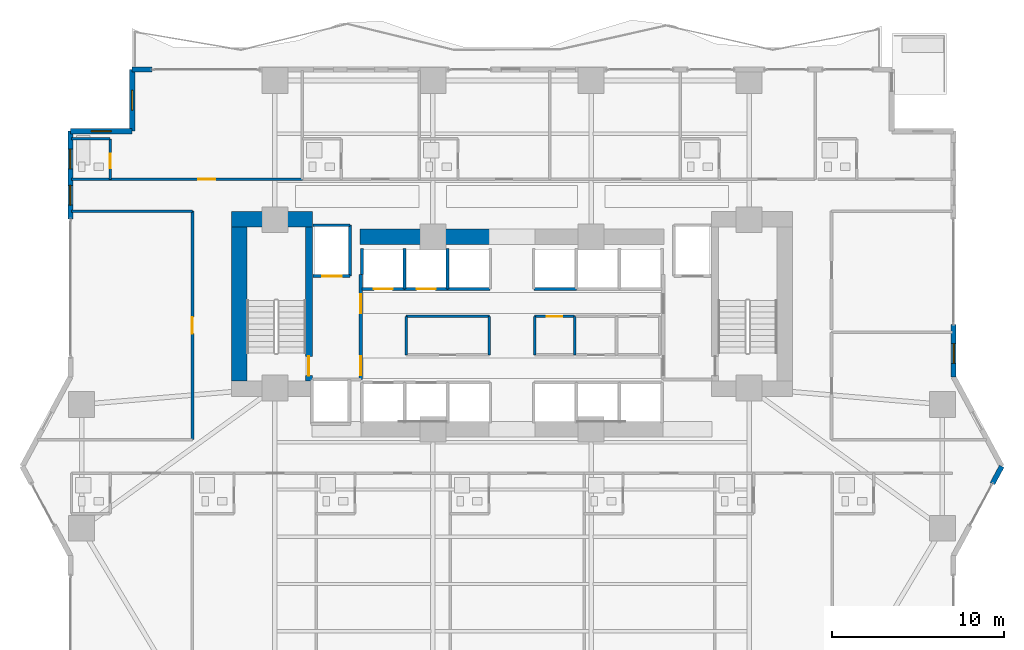
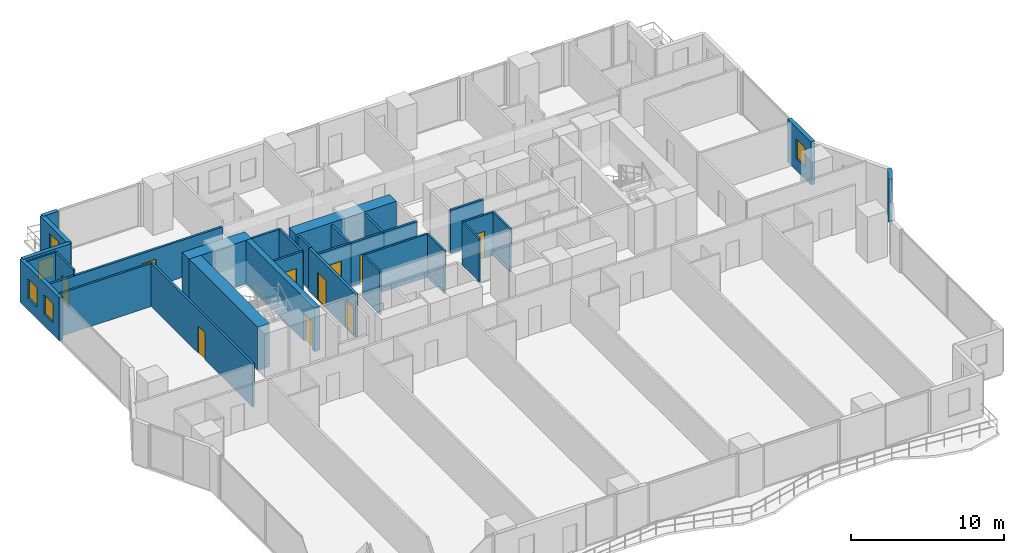
# One storey, part 21 of 28: 32 walls, 10 doors, 5 windows, 15 openings.
"""IFC4 building model written with IfcOpenShell, lengths in metres."""

from ifc_helpers import new_model, si_unit, direction, frame, frame_2d, origin, place, context, subcontext, project, spatial, rectangle, extrude, material, layer, layer_set, type_object, element, fill, save


model = new_model("IFC4")

# Units and contexts
model_context = context("Model", 3, precision=1e-05, world=origin(), true_north=direction((0.0, 1.0)))
body_context = subcontext(model_context, "Body", "Model", "MODEL_VIEW")
ifc_project = project(units=[si_unit("LENGTHUNIT", "METRE"), si_unit("AREAUNIT", "SQUARE_METRE"), si_unit("VOLUMEUNIT", "CUBIC_METRE"), si_unit("PLANEANGLEUNIT", "RADIAN"), si_unit("MASSUNIT", "GRAM", prefix="KILO")], contexts=[model_context])

# Site, building, storey
site_placement = place(None, origin())
site = spatial("IfcSite", under=ifc_project, at=site_placement, CompositionType="ELEMENT")
building_placement = place(site_placement, origin())
building = spatial("IfcBuilding", under=site, at=building_placement, Name="Zuhayl Quay Hotel", CompositionType="ELEMENT")
storey_placement = place(building_placement, frame((0.0, 0.0, 53.14990234375)))
storey = spatial("IfcBuildingStorey", under=building, at=storey_placement, Name="L12", CompositionType="ELEMENT", Elevation=53.14990234375)

# Walls
ifc_material_1 = material(Name="Concrete C70/85", Category="concrete")
ifc_layer_1 = layer(ifc_material_1, 0.89990234375, Name="Concrete C70/85", Category="concrete")
ifc_layer_set_1 = layer_set([ifc_layer_1], Name="Concrete C70/85")
wall_type_1 = type_object("IfcWallType", Name="WL_CORE_900", PredefinedType="SHEAR", material=ifc_layer_set_1)
wall_1_placement = place(storey_placement, frame((-16.31005859375, 14.3798828125, 0.0), z_axis=(0.0, 0.0, 1.0), x_axis=(1.0, 0.0, 0.0)))
element("IfcWall", 1, at=wall_1_placement, inside=storey, type_object=wall_type_1, Name="L12 Core Shear Wall CW_NW", PredefinedType="SHEAR", context=body_context, shape_type="SweptSolid", body=[
    extrude(rectangle(XDim=4.7099609375, YDim=0.89990234375, at=frame_2d((2.35498046875, 0.0))), origin(), (0.0, 0.0, 1.0), 3.460205078125),
])
wall_2_placement = place(storey_placement, frame((-15.860107421875, 4.969970703125, 0.0), z_axis=(0.0, 0.0, 1.0), x_axis=(0.0, 1.0, 0.0)))
element("IfcWall", 2, at=wall_2_placement, inside=storey, type_object=wall_type_1, Name="L12 Core Shear Wall CW_W", PredefinedType="SHEAR", context=body_context, shape_type="SweptSolid", body=[
    extrude(rectangle(XDim=8.9599609375, YDim=0.89990234375, at=frame_2d((4.47998046875, 0.0))), origin(), (0.0, 0.0, 1.0), 3.460205078125),
])
wall_3_placement = place(storey_placement, frame((-8.85009765625, 13.35009765625, 0.0), z_axis=(0.0, 0.0, 1.0), x_axis=(1.0, 0.0, 0.0)))
element("IfcWall", 3, at=wall_3_placement, inside=storey, type_object=wall_type_1, Name="L12 Core Shear Wall CW_NC_W", PredefinedType="SHEAR", context=body_context, shape_type="SweptSolid", body=[
    extrude(rectangle(XDim=7.60009765625, YDim=0.89990234375, at=frame_2d((3.800048828125, 0.0))), origin(), (0.0, 0.0, 1.0), 3.43017578125),
])

# Wall, openings, windows
ifc_material_2 = material(Name="Precast concrete C45/55", Category="concrete")
ifc_layer_2 = layer(ifc_material_2, 0.300048828125, Name="Precast concrete C45/55", Category="concrete")
ifc_layer_set_2 = layer_set([ifc_layer_2], Name="Precast concrete C45/55")
wall_type_2 = type_object("IfcWallType", Name="WL_EXT_300", PredefinedType="STANDARD", material=ifc_layer_set_2)
wall_4_placement = place(storey_placement, frame((-25.699951171875, 14.39990234375, 0.0), z_axis=(0.0, 0.0, 1.0), x_axis=(0.0, 1.0, 0.0)))
wall_4 = element("IfcWall", 4, at=wall_4_placement, inside=storey, type_object=wall_type_2, Name="L12 Exterior Precast Wall ENV_L12_E05_EW2", PredefinedType="STANDARD", context=body_context, shape_type="SweptSolid", body=[
    extrude(rectangle(XDim=5.10009765625, YDim=0.300048828125, at=frame_2d((2.550048828125, 0.0))), origin(), (0.0, 0.0, 1.0), 3.43017578125),
])
opening_1_placement = place(wall_4_placement, frame((0.800048828125, 0.0, 0.949951171875)))
opening_1 = element("IfcOpeningElement", 5, at=opening_1_placement, cuts=wall_4, Name="Opening W01N", PredefinedType="OPENING", context=body_context, shape_type="SweptSolid", body=[
    extrude(rectangle(XDim=1.14990234375, YDim=1.550048828125, at=frame_2d((0.574951171875, 0.77490234375))), frame((0.0, 0.159912109375, 0.0), z_axis=(0.0, -1.0, 0.0), x_axis=(1.0, 0.0, 0.0)), (0.0, 0.0, 1.0), 0.320068359375),
])
opening_2_placement = place(wall_4_placement, frame((2.905029296875, 0.0, 0.949951171875)))
opening_2 = element("IfcOpeningElement", 6, at=opening_2_placement, cuts=wall_4, Name="Opening W01N", PredefinedType="OPENING", context=body_context, shape_type="SweptSolid", body=[
    extrude(rectangle(XDim=1.14990234375, YDim=1.550048828125, at=frame_2d((0.574951171875, 0.77490234375))), frame((0.0, 0.159912109375, 0.0), z_axis=(0.0, -1.0, 0.0), x_axis=(1.0, 0.0, 0.0)), (0.0, 0.0, 1.0), 0.320068359375),
])
ifc_material_3 = material(Name="Dark Ceramic-Fritted Solar Glass", Category="glass")
window_type = type_object("IfcWindowType", Name="WN_NOTCH_1350", PartitioningType="SINGLE_PANEL", PredefinedType="WINDOW", material=ifc_material_3)
window_1_placement = place(opening_1_placement, origin())
window_1 = element("IfcWindow", 7, at=window_1_placement, inside=storey, type_object=window_type, Name="L12 Operable Facade Window 2-1", OverallHeight=1.550048828125, OverallWidth=1.14990234375, PartitioningType="SINGLE_PANEL", PredefinedType="WINDOW", context=body_context, shape_type="SweptSolid", body=[
    extrude(rectangle(XDim=1.14990234375, YDim=1.550048828125, at=frame_2d((0.574951171875, 0.77490234375))), frame((0.0, 0.030029296875, 0.0), z_axis=(0.0, -1.0, 0.0), x_axis=(1.0, 0.0, 0.0)), (0.0, 0.0, 1.0), 0.06005859375),
])
fill(opening_1, window_1)
window_2_placement = place(opening_2_placement, origin())
window_2 = element("IfcWindow", 8, at=window_2_placement, inside=storey, type_object=window_type, Name="L12 Operable Facade Window 2-2", OverallHeight=1.550048828125, OverallWidth=1.14990234375, PartitioningType="SINGLE_PANEL", PredefinedType="WINDOW", context=body_context, shape_type="SweptSolid", body=[
    extrude(rectangle(XDim=1.14990234375, YDim=1.550048828125, at=frame_2d((0.574951171875, 0.77490234375))), frame((0.0, 0.030029296875, 0.0), z_axis=(0.0, -1.0, 0.0), x_axis=(1.0, 0.0, 0.0)), (0.0, 0.0, 1.0), 0.06005859375),
])
fill(opening_2, window_2)

# Wall, opening, window
wall_5_placement = place(storey_placement, frame((-25.699951171875, 19.5, 0.0), z_axis=(0.0, 0.0, 1.0), x_axis=(1.0, 0.0, 0.0)))
wall_5 = element("IfcWall", 9, at=wall_5_placement, inside=storey, type_object=wall_type_2, Name="L12 Exterior Precast Wall ENV_L12_EW06", PredefinedType="STANDARD", context=body_context, shape_type="SweptSolid", body=[
    extrude(rectangle(XDim=3.599853515625, YDim=0.300048828125, at=frame_2d((1.7998046875, 0.0))), origin(), (0.0, 0.0, 1.0), 3.43017578125),
])
opening_3_placement = place(wall_5_placement, frame((1.22509765625, 0.0, 1.25)))
opening_3 = element("IfcOpeningElement", 10, at=opening_3_placement, cuts=wall_5, Name="Opening W01N", PredefinedType="OPENING", context=body_context, shape_type="SweptSolid", body=[
    extrude(rectangle(XDim=1.14990234375, YDim=1.550048828125, at=frame_2d((0.574951171875, 0.77490234375))), frame((0.0, 0.159912109375, 0.0), z_axis=(0.0, -1.0, 0.0), x_axis=(1.0, 0.0, 0.0)), (0.0, 0.0, 1.0), 0.320068359375),
])
window_3_placement = place(opening_3_placement, origin())
window_3 = element("IfcWindow", 11, at=window_3_placement, inside=storey, type_object=window_type, Name="L12 Corner Notch Window 6", OverallHeight=1.550048828125, OverallWidth=1.14990234375, PartitioningType="SINGLE_PANEL", PredefinedType="WINDOW", context=body_context, shape_type="SweptSolid", body=[
    extrude(rectangle(XDim=1.14990234375, YDim=1.550048828125, at=frame_2d((0.574951171875, 0.77490234375))), frame((0.0, 0.030029296875, 0.0), z_axis=(0.0, -1.0, 0.0), x_axis=(1.0, 0.0, 0.0)), (0.0, 0.0, 1.0), 0.06005859375),
])
fill(opening_3, window_3)

wall_6_placement = place(storey_placement, frame((-22.10009765625, 19.5, 0.0), z_axis=(0.0, 0.0, 1.0), x_axis=(0.0, 1.0, 0.0)))
wall_6 = element("IfcWall", 12, at=wall_6_placement, inside=storey, type_object=wall_type_2, Name="L12 Exterior Precast Wall ENV_L12_EW07", PredefinedType="STANDARD", context=body_context, shape_type="SweptSolid", body=[
    extrude(rectangle(XDim=3.60009765625, YDim=0.300048828125, at=frame_2d((1.800048828125, 0.0))), origin(), (0.0, 0.0, 1.0), 3.43017578125),
])
opening_4_placement = place(wall_6_placement, frame((1.22509765625, 0.0, 1.25)))
opening_4 = element("IfcOpeningElement", 13, at=opening_4_placement, cuts=wall_6, Name="Opening W01N", PredefinedType="OPENING", context=body_context, shape_type="SweptSolid", body=[
    extrude(rectangle(XDim=1.14990234375, YDim=1.550048828125, at=frame_2d((0.574951171875, 0.77490234375))), frame((0.0, 0.159912109375, 0.0), z_axis=(0.0, -1.0, 0.0), x_axis=(1.0, 0.0, 0.0)), (0.0, 0.0, 1.0), 0.320068359375),
])
window_4_placement = place(opening_4_placement, origin())
window_4 = element("IfcWindow", 14, at=window_4_placement, inside=storey, type_object=window_type, Name="L12 Corner Notch Window 7", OverallHeight=1.550048828125, OverallWidth=1.14990234375, PartitioningType="SINGLE_PANEL", PredefinedType="WINDOW", context=body_context, shape_type="SweptSolid", body=[
    extrude(rectangle(XDim=1.14990234375, YDim=1.550048828125, at=frame_2d((0.574951171875, 0.77490234375))), frame((0.0, 0.030029296875, 0.0), z_axis=(0.0, -1.0, 0.0), x_axis=(1.0, 0.0, 0.0)), (0.0, 0.0, 1.0), 0.06005859375),
])
fill(opening_4, window_4)

# Wall
wall_7_placement = place(storey_placement, frame((-22.10009765625, 23.10009765625, 0.0), z_axis=(0.0, 0.0, 1.0), x_axis=(1.0, 0.0, 0.0)))
element("IfcWall", 15, at=wall_7_placement, inside=storey, type_object=wall_type_2, Name="L12 Exterior Precast Wall ENV_L12_N_EW1", PredefinedType="STANDARD", context=body_context, shape_type="SweptSolid", body=[
    extrude(rectangle(XDim=1.150146484375, YDim=0.300048828125, at=frame_2d((0.5751953125, 0.0))), origin(), (0.0, 0.0, 1.0), 3.43017578125),
])

# Wall, opening, window
wall_8_placement = place(storey_placement, frame((25.699951171875, 8.25, 0.0), z_axis=(0.0, 0.0, 1.0), x_axis=(0.0, -1.0, 0.0)))
wall_8 = element("IfcWall", 16, at=wall_8_placement, inside=storey, type_object=wall_type_2, Name="L12 Exterior Precast Wall ENV_L12_E11_EW2", PredefinedType="STANDARD", context=body_context, shape_type="SweptSolid", body=[
    extrude(rectangle(XDim=3.050048828125, YDim=0.300048828125, at=frame_2d((1.52490234375, 0.0))), origin(), (0.0, 0.0, 1.0), 3.43017578125),
])
opening_5_placement = place(wall_8_placement, frame((1.114990234375, 0.0, 0.949951171875)))
opening_5 = element("IfcOpeningElement", 17, at=opening_5_placement, cuts=wall_8, Name="Opening W01N", PredefinedType="OPENING", context=body_context, shape_type="SweptSolid", body=[
    extrude(rectangle(XDim=1.14990234375, YDim=1.550048828125, at=frame_2d((0.574951171875, 0.77490234375))), frame((0.0, 0.159912109375, 0.0), z_axis=(0.0, -1.0, 0.0), x_axis=(1.0, 0.0, 0.0)), (0.0, 0.0, 1.0), 0.320068359375),
])
window_5_placement = place(opening_5_placement, origin())
window_5 = element("IfcWindow", 18, at=window_5_placement, inside=storey, type_object=window_type, Name="L12 Operable Facade Window 2-1", OverallHeight=1.550048828125, OverallWidth=1.14990234375, PartitioningType="SINGLE_PANEL", PredefinedType="WINDOW", context=body_context, shape_type="SweptSolid", body=[
    extrude(rectangle(XDim=1.14990234375, YDim=1.550048828125, at=frame_2d((0.574951171875, 0.77490234375))), frame((0.0, 0.030029296875, 0.0), z_axis=(0.0, -1.0, 0.0), x_axis=(1.0, 0.0, 0.0)), (0.0, 0.0, 1.0), 0.06005859375),
])
fill(opening_5, window_5)

# Wall
wall_9_placement = place(storey_placement, frame((28.5, 0.0, 0.0), z_axis=(0.0, 0.0, 1.0), x_axis=(-0.474099823035, -0.880471099922, 0.0)))
element("IfcWall", 19, at=wall_9_placement, inside=storey, type_object=wall_type_2, Name="L12 Exterior Precast Wall ENV_L12_E13_EW1", PredefinedType="STANDARD", context=body_context, shape_type="SweptSolid", body=[
    extrude(rectangle(XDim=1.14990234375, YDim=0.300048828125, at=frame_2d((0.574951171875, 0.0))), origin(), (0.0, 0.0, 1.0), 3.43017578125),
])

# Wall, opening, door
ifc_material_4 = material(Name="Acoustic Gypsum Partition STC-58")
ifc_layer_3 = layer(ifc_material_4, 0.14990234375, Name="Acoustic Gypsum Partition STC-58")
ifc_layer_set_3 = layer_set([ifc_layer_3], Name="Acoustic Gypsum Partition STC-58")
wall_type_3 = type_object("IfcWallType", Name="WL_PART_150", PredefinedType="PARTITIONING", material=ifc_layer_set_3)
wall_10_placement = place(storey_placement, frame((1.320068359375, 8.719970703125, 0.0), z_axis=(0.0, 0.0, 1.0), x_axis=(1.0, 0.0, 0.0)))
wall_10 = element("IfcWall", 20, at=wall_10_placement, inside=storey, type_object=wall_type_3, Name="L12 Partition IW_L12_CORE_E1_N", PredefinedType="PARTITIONING", context=body_context, shape_type="SweptSolid", body=[
    extrude(rectangle(XDim=2.31982421875, YDim=0.14990234375, at=frame_2d((1.159912109375, 0.0))), origin(), (0.0, 0.0, 1.0), 3.43017578125),
])
opening_6_placement = place(wall_10_placement, frame((0.7099609375, 0.0, 0.0)))
opening_6 = element("IfcOpeningElement", 21, at=opening_6_placement, cuts=wall_10, Name="Opening D06", PredefinedType="OPENING", context=body_context, shape_type="SweptSolid", body=[
    extrude(rectangle(XDim=0.89990234375, YDim=2.14990234375, at=frame_2d((0.449951171875, 1.074951171875))), frame((0.0, 0.0849609375, 0.0), z_axis=(0.0, -1.0, 0.0), x_axis=(1.0, 0.0, 0.0)), (0.0, 0.0, 1.0), 0.169921875),
])
ifc_material_5 = material(Name="Steel ASTM A992 Grade 50", Category="steel")
door_type_1 = type_object("IfcDoorType", Name="DR_INT_900", OperationType="NOTDEFINED", PredefinedType="DOOR", material=ifc_material_5)
door_1_placement = place(opening_6_placement, origin())
door_1 = element("IfcDoor", 22, at=door_1_placement, inside=storey, type_object=door_type_1, Name="L12 Floor Electrical Closet Door", OperationType="SINGLE_SWING_RIGHT", OverallHeight=2.14990234375, OverallWidth=0.89990234375, PredefinedType="DOOR", context=body_context, shape_type="SweptSolid", body=[
    extrude(rectangle(XDim=0.89990234375, YDim=2.14990234375, at=frame_2d((0.449951171875, 1.074951171875))), frame((0.0, 0.02490234375, 0.0), z_axis=(0.0, -1.0, 0.0), x_axis=(1.0, 0.0, 0.0)), (0.0, 0.0, 1.0), 0.050048828125),
])
fill(opening_6, door_1)

# Walls
wall_11_placement = place(storey_placement, frame((-6.159912109375, 8.719970703125, 0.0), z_axis=(0.0, 0.0, 1.0), x_axis=(1.0, 0.0, 0.0)))
element("IfcWall", 23, at=wall_11_placement, inside=storey, type_object=wall_type_3, Name="L12 Partition IW_L12_CORE_SV_N", PredefinedType="PARTITIONING", context=body_context, shape_type="SweptSolid", body=[
    extrude(rectangle(XDim=4.83984375, YDim=0.14990234375, at=frame_2d((2.419921875, 0.0))), origin(), (0.0, 0.0, 1.0), 3.43017578125),
])
for number, where, z_axis, x_axis, name in (
    (24, (-6.159912109375, 6.47998046875, 0.0), (0.0, 0.0, 1.0), (0.0, 1.0, 0.0), "L12 Partition IW_L12_CORE_SV_W"),
    (25, (-1.320068359375, 6.47998046875, 0.0), (0.0, 0.0, 1.0), (0.0, 1.0, 0.0), "L12 Partition IW_L12_CORE_SV_E"),
    (26, (1.320068359375, 6.47998046875, 0.0), (0.0, 0.0, 1.0), (0.0, 1.0, 0.0), "L12 Partition IW_L12_CORE_E1_W"),
    (27, (3.639892578125, 6.47998046875, 0.0), (0.0, 0.0, 1.0), (0.0, 1.0, 0.0), "L12 Partition IW_L12_CORE_E1_E"),
):
    element("IfcWall", number, at=place(storey_placement, frame(where, z_axis=z_axis, x_axis=x_axis)), inside=storey, type_object=wall_type_3, Name=name, PredefinedType="PARTITIONING", context=body_context, shape_type="SweptSolid", body=[
        extrude(rectangle(XDim=2.239990234375, YDim=0.14990234375, at=frame_2d((1.1201171875, 0.0))), origin(), (0.0, 0.0, 1.0), 3.43017578125),
    ])
wall_12_placement = place(storey_placement, frame((-25.639892578125, 14.85009765625, 0.0), z_axis=(0.0, 0.0, 1.0), x_axis=(1.0, 0.0, 0.0)))
element("IfcWall", 28, at=wall_12_placement, inside=storey, type_object=wall_type_3, Name="L12 Partition IW_L12_WPROW_1_N", PredefinedType="PARTITIONING", context=body_context, shape_type="SweptSolid", body=[
    extrude(rectangle(XDim=7.039794921875, YDim=0.14990234375, at=frame_2d((3.52001953125, 0.0))), origin(), (0.0, 0.0, 1.0), 3.43017578125),
])

# Wall, opening, door
ifc_layer_4 = layer(ifc_material_4, 0.159912109375, Name="Acoustic Gypsum Partition STC-58")
ifc_layer_set_4 = layer_set([ifc_layer_4], Name="Acoustic Gypsum Partition STC-58")
wall_type_4 = type_object("IfcWallType", Name="WL_PART_CORR_160", PredefinedType="PARTITIONING", material=ifc_layer_set_4)
wall_13_placement = place(storey_placement, frame((-25.639892578125, 16.699951171875, 0.0), z_axis=(0.0, 0.0, 1.0), x_axis=(1.0, 0.0, 0.0)))
wall_13 = element("IfcWall", 29, at=wall_13_placement, inside=storey, type_object=wall_type_4, Name="L12 Partition IW_L12_NU01_COR", PredefinedType="PARTITIONING", context=body_context, shape_type="SweptSolid", body=[
    extrude(rectangle(XDim=13.43994140625, YDim=0.159912109375, at=frame_2d((6.719970703125, 0.0))), origin(), (0.0, 0.0, 1.0), 2.97314453125),
])
opening_7_placement = place(wall_13_placement, frame((7.3701171875, 0.0, 0.0)))
opening_7 = element("IfcOpeningElement", 30, at=opening_7_placement, cuts=wall_13, Name="Opening D03L", PredefinedType="OPENING", context=body_context, shape_type="SweptSolid", body=[
    extrude(rectangle(XDim=1.0, YDim=2.14990234375, at=frame_2d((0.5, 1.074951171875))), frame((0.0, 0.08984375, 0.0), z_axis=(0.0, -1.0, 0.0), x_axis=(1.0, 0.0, 0.0)), (0.0, 0.0, 1.0), 0.179931640625),
])
ifc_material_6 = material(Name="Solid Walnut Acoustic Fire Door")
door_type_2 = type_object("IfcDoorType", Name="DR_SUITE_1000", OperationType="NOTDEFINED", PredefinedType="DOOR", material=ifc_material_6)
door_2_placement = place(opening_7_placement, origin())
door_2 = element("IfcDoor", 31, at=door_2_placement, inside=storey, type_object=door_type_2, Name="L12 Deluxe Gulf Guest Room L12-01 Entrance Door", OperationType="SINGLE_SWING_RIGHT", OverallHeight=2.14990234375, OverallWidth=1.0, PredefinedType="DOOR", context=body_context, shape_type="SweptSolid", body=[
    extrude(rectangle(XDim=1.0, YDim=2.14990234375, at=frame_2d((0.5, 1.074951171875))), frame((0.0, 0.02490234375, 0.0), z_axis=(0.0, -1.0, 0.0), x_axis=(1.0, 0.0, 0.0)), (0.0, 0.0, 1.0), 0.050048828125),
])
fill(opening_7, door_2)

wall_14_placement = place(storey_placement, frame((-18.60009765625, 1.550048828125, 0.0), z_axis=(0.0, 0.0, 1.0), x_axis=(0.0, 1.0, 0.0)))
wall_14 = element("IfcWall", 32, at=wall_14_placement, inside=storey, type_object=wall_type_4, Name="L12 Partition IW_L12_WPROW_1_E", PredefinedType="PARTITIONING", context=body_context, shape_type="SweptSolid", body=[
    extrude(rectangle(XDim=13.300048828125, YDim=0.159912109375, at=frame_2d((6.64990234375, 0.0))), origin(), (0.0, 0.0, 1.0), 3.43017578125),
])
opening_8_placement = place(wall_14_placement, frame((6.175048828125, 0.0, 0.0)))
opening_8 = element("IfcOpeningElement", 33, at=opening_8_placement, cuts=wall_14, Name="Opening D03", PredefinedType="OPENING", context=body_context, shape_type="SweptSolid", body=[
    extrude(rectangle(XDim=0.949951171875, YDim=2.14990234375, at=frame_2d((0.47509765625, 1.074951171875))), frame((0.0, 0.08984375, 0.0), z_axis=(0.0, -1.0, 0.0), x_axis=(1.0, 0.0, 0.0)), (0.0, 0.0, 1.0), 0.179931640625),
])
door_type_3 = type_object("IfcDoorType", Name="DR_SUITE_950", OperationType="NOTDEFINED", PredefinedType="DOOR", material=ifc_material_6)
door_3_placement = place(opening_8_placement, origin())
door_3 = element("IfcDoor", 34, at=door_3_placement, inside=storey, type_object=door_type_3, Name="L12 West Prow Panoramic Salon L12 Door", OperationType="SINGLE_SWING_RIGHT", OverallHeight=2.14990234375, OverallWidth=0.949951171875, PredefinedType="DOOR", context=body_context, shape_type="SweptSolid", body=[
    extrude(rectangle(XDim=0.949951171875, YDim=2.14990234375, at=frame_2d((0.47509765625, 1.074951171875))), frame((0.0, 0.02490234375, 0.0), z_axis=(0.0, -1.0, 0.0), x_axis=(1.0, 0.0, 0.0)), (0.0, 0.0, 1.0), 0.050048828125),
])
fill(opening_8, door_3)

ifc_material_7 = material(Name="Moisture-Resistant Sanitarychase Gypsum")
ifc_layer_5 = layer(ifc_material_7, 0.135009765625, Name="Moisture-Resistant Sanitarychase Gypsum")
ifc_layer_set_5 = layer_set([ifc_layer_5], Name="Moisture-Resistant Sanitarychase Gypsum")
wall_type_5 = type_object("IfcWallType", Name="WL_PART_PLUMB_150", PredefinedType="PLUMBINGWALL", material=ifc_layer_set_5)
wall_15_placement = place(storey_placement, frame((-23.3798828125, 16.699951171875, 0.0), z_axis=(0.0, 0.0, 1.0), x_axis=(0.0, 1.0, 0.0)))
wall_15 = element("IfcWall", 35, at=wall_15_placement, inside=storey, type_object=wall_type_5, Name="L12 Partition IW_L12_NU01_BE", PredefinedType="PLUMBINGWALL", context=body_context, shape_type="SweptSolid", body=[
    extrude(rectangle(XDim=2.360107421875, YDim=0.135009765625, at=frame_2d((1.18017578125, 0.0))), origin(), (0.0, 0.0, 1.0), 3.43017578125),
])
opening_9_placement = place(wall_15_placement, frame((0.64990234375, 0.0, 0.0)))
opening_9 = element("IfcOpeningElement", 36, at=opening_9_placement, cuts=wall_15, Name="Opening D04", PredefinedType="OPENING", context=body_context, shape_type="SweptSolid", body=[
    extrude(rectangle(XDim=0.85009765625, YDim=2.10009765625, at=frame_2d((0.425048828125, 1.050048828125))), frame((0.0, 0.077392578125, 0.0), z_axis=(0.0, -1.0, 0.0), x_axis=(1.0, 0.0, 0.0)), (0.0, 0.0, 1.0), 0.155029296875),
])
ifc_material_8 = material(Name="Moisture-Resistant Walnut Veneer")
door_type_4 = type_object("IfcDoorType", Name="DR_BATH_850", OperationType="NOTDEFINED", PredefinedType="DOOR", material=ifc_material_8)
door_4_placement = place(opening_9_placement, origin())
door_4 = element("IfcDoor", 37, at=door_4_placement, inside=storey, type_object=door_type_4, Name="L12 Deluxe Gulf Guest Room L12-01 En-Suite Door", OperationType="SINGLE_SWING_LEFT", OverallHeight=2.10009765625, OverallWidth=0.85009765625, PredefinedType="DOOR", context=body_context, shape_type="SweptSolid", body=[
    extrude(rectangle(XDim=0.85009765625, YDim=2.10009765625, at=frame_2d((0.425048828125, 1.050048828125))), frame((0.0, 0.02490234375, 0.0), z_axis=(0.0, -1.0, 0.0), x_axis=(1.0, 0.0, 0.0)), (0.0, 0.0, 1.0), 0.050048828125),
])
fill(opening_9, door_4)

# Wall
wall_16_placement = place(storey_placement, frame((-25.639892578125, 19.06005859375, 0.0), z_axis=(0.0, 0.0, 1.0), x_axis=(1.0, 0.0, 0.0)))
element("IfcWall", 38, at=wall_16_placement, inside=storey, type_object=wall_type_5, Name="L12 Partition IW_L12_NU01_BN", PredefinedType="PLUMBINGWALL", context=body_context, shape_type="SweptSolid", body=[
    extrude(rectangle(XDim=2.260009765625, YDim=0.135009765625, at=frame_2d((1.1298828125, 0.0))), origin(), (0.0, 0.0, 1.0), 3.43017578125),
])

# Wall, opening, door
ifc_material_9 = material(Name="Gypsum Fireboard Assembly EI-90")
ifc_layer_6 = layer(ifc_material_9, 0.1650390625, Name="Gypsum Fireboard Assembly EI-90")
ifc_layer_set_6 = layer_set([ifc_layer_6], Name="Gypsum Fireboard Assembly EI-90")
wall_type_6 = type_object("IfcWallType", Name="WL_PART_SHAFT_160", PredefinedType="PARTITIONING", material=ifc_layer_set_6)
wall_17_placement = place(storey_placement, frame((-11.580078125, 11.070068359375, 0.0), z_axis=(0.0, 0.0, 1.0), x_axis=(1.0, 0.0, 0.0)))
wall_17 = element("IfcWall", 39, at=wall_17_placement, inside=storey, type_object=wall_type_6, Name="L12 Partition IW_L12_SH_FL1_F", PredefinedType="PARTITIONING", context=body_context, shape_type="SweptSolid", body=[
    extrude(rectangle(XDim=2.16015625, YDim=0.1650390625, at=frame_2d((1.080078125, 0.0))), origin(), (0.0, 0.0, 1.0), 3.43017578125),
])
opening_10_placement = place(wall_17_placement, frame((0.530029296875, 0.0, 0.0)))
opening_10 = element("IfcOpeningElement", 40, at=opening_10_placement, cuts=wall_17, Name="Opening LD2", PredefinedType="OPENING", context=body_context, shape_type="SweptSolid", body=[
    extrude(rectangle(XDim=1.14990234375, YDim=2.25, at=frame_2d((0.574951171875, 1.125))), frame((0.0, 0.092529296875, 0.0), z_axis=(0.0, -1.0, 0.0), x_axis=(1.0, 0.0, 0.0)), (0.0, 0.0, 1.0), 0.18505859375),
])
ifc_material_10 = material(Name="Brushed Stainless Steel", Category="steel")
door_type_5 = type_object("IfcDoorType", Name="DR_LIFT_FF_1100", OperationType="SLIDING_TO_LEFT", PredefinedType="DOOR", material=ifc_material_10)
door_5_placement = place(opening_10_placement, origin())
door_5 = element("IfcDoor", 41, at=door_5_placement, inside=storey, type_object=door_type_5, Name="L12 Lift FL1 Sliding Landing Door", OperationType="SLIDING_TO_LEFT", OverallHeight=2.25, OverallWidth=1.14990234375, PredefinedType="DOOR", context=body_context, shape_type="SweptSolid", body=[
    extrude(rectangle(XDim=1.14990234375, YDim=2.25, at=frame_2d((0.574951171875, 1.125))), frame((0.0, 0.02490234375, 0.0), z_axis=(0.0, -1.0, 0.0), x_axis=(1.0, 0.0, 0.0)), (0.0, 0.0, 1.0), 0.050048828125),
])
fill(opening_10, door_5)

wall_18_placement = place(storey_placement, frame((-8.72998046875, 10.320068359375, 0.0), z_axis=(0.0, 0.0, 1.0), x_axis=(1.0, 0.0, 0.0)))
wall_18 = element("IfcWall", 42, at=wall_18_placement, inside=storey, type_object=wall_type_6, Name="L12 Partition IW_L12_SH_LP3_F", PredefinedType="PARTITIONING", context=body_context, shape_type="SweptSolid", body=[
    extrude(rectangle(XDim=2.47998046875, YDim=0.1650390625, at=frame_2d((1.239990234375, 0.0))), origin(), (0.0, 0.0, 1.0), 3.43017578125),
])
opening_11_placement = place(wall_18_placement, frame((0.68994140625, 0.0, 0.0)))
opening_11 = element("IfcOpeningElement", 43, at=opening_11_placement, cuts=wall_18, Name="Opening LD1", PredefinedType="OPENING", context=body_context, shape_type="SweptSolid", body=[
    extrude(rectangle(XDim=1.10009765625, YDim=2.25, at=frame_2d((0.550048828125, 1.125))), frame((0.0, 0.092529296875, 0.0), z_axis=(0.0, -1.0, 0.0), x_axis=(1.0, 0.0, 0.0)), (0.0, 0.0, 1.0), 0.18505859375),
])
door_type_6 = type_object("IfcDoorType", Name="DR_LIFT_PASS_1100", OperationType="SLIDING_TO_LEFT", PredefinedType="DOOR", material=ifc_material_10)
door_6_placement = place(opening_11_placement, origin())
door_6 = element("IfcDoor", 44, at=door_6_placement, inside=storey, type_object=door_type_6, Name="L12 Lift LP3 Sliding Landing Door", OperationType="SLIDING_TO_LEFT", OverallHeight=2.25, OverallWidth=1.10009765625, PredefinedType="DOOR", context=body_context, shape_type="SweptSolid", body=[
    extrude(rectangle(XDim=1.10009765625, YDim=2.25, at=frame_2d((0.550048828125, 1.125))), frame((0.0, 0.02490234375, 0.0), z_axis=(0.0, -1.0, 0.0), x_axis=(1.0, 0.0, 0.0)), (0.0, 0.0, 1.0), 0.050048828125),
])
fill(opening_11, door_6)

wall_19_placement = place(storey_placement, frame((-6.25, 10.320068359375, 0.0), z_axis=(0.0, 0.0, 1.0), x_axis=(1.0, 0.0, 0.0)))
wall_19 = element("IfcWall", 45, at=wall_19_placement, inside=storey, type_object=wall_type_6, Name="L12 Partition IW_L12_SH_LP4_F", PredefinedType="PARTITIONING", context=body_context, shape_type="SweptSolid", body=[
    extrude(rectangle(XDim=2.5, YDim=0.1650390625, at=frame_2d((1.25, 0.0))), origin(), (0.0, 0.0, 1.0), 3.43017578125),
])
opening_12_placement = place(wall_19_placement, frame((0.699951171875, 0.0, 0.0)))
opening_12 = element("IfcOpeningElement", 46, at=opening_12_placement, cuts=wall_19, Name="Opening LD1", PredefinedType="OPENING", context=body_context, shape_type="SweptSolid", body=[
    extrude(rectangle(XDim=1.10009765625, YDim=2.25, at=frame_2d((0.550048828125, 1.125))), frame((0.0, 0.092529296875, 0.0), z_axis=(0.0, -1.0, 0.0), x_axis=(1.0, 0.0, 0.0)), (0.0, 0.0, 1.0), 0.18505859375),
])
door_7_placement = place(opening_12_placement, origin())
door_7 = element("IfcDoor", 47, at=door_7_placement, inside=storey, type_object=door_type_6, Name="L12 Lift LP4 Sliding Landing Door", OperationType="SLIDING_TO_LEFT", OverallHeight=2.25, OverallWidth=1.10009765625, PredefinedType="DOOR", context=body_context, shape_type="SweptSolid", body=[
    extrude(rectangle(XDim=1.10009765625, YDim=2.25, at=frame_2d((0.550048828125, 1.125))), frame((0.0, 0.02490234375, 0.0), z_axis=(0.0, -1.0, 0.0), x_axis=(1.0, 0.0, 0.0)), (0.0, 0.0, 1.0), 0.050048828125),
])
fill(opening_12, door_7)

# Walls
wall_20_placement = place(storey_placement, frame((-9.419921875, 11.070068359375, 0.0), z_axis=(0.0, 0.0, 1.0), x_axis=(0.0, 1.0, 0.0)))
element("IfcWall", 48, at=wall_20_placement, inside=storey, type_object=wall_type_6, Name="L12 Partition IW_L12_SH_FL1_E", PredefinedType="PARTITIONING", context=body_context, shape_type="SweptSolid", body=[
    extrude(rectangle(XDim=2.9599609375, YDim=0.1650390625, at=frame_2d((1.47998046875, 0.0))), origin(), (0.0, 0.0, 1.0), 3.43017578125),
])
wall_21_placement = place(storey_placement, frame((-11.580078125, 14.030029296875, 0.0), z_axis=(0.0, 0.0, 1.0), x_axis=(1.0, 0.0, 0.0)))
element("IfcWall", 49, at=wall_21_placement, inside=storey, type_object=wall_type_6, Name="L12 Partition IW_L12_SH_FL1_B", PredefinedType="PARTITIONING", context=body_context, shape_type="SweptSolid", body=[
    extrude(rectangle(XDim=2.16015625, YDim=0.1650390625, at=frame_2d((1.080078125, 0.0))), origin(), (0.0, 0.0, 1.0), 3.43017578125),
])
wall_22_placement = place(storey_placement, frame((-8.72998046875, 11.14990234375, 0.0), z_axis=(0.0, 0.0, 1.0), x_axis=(0.0, 1.0, 0.0)))
element("IfcWall", 50, at=wall_22_placement, inside=storey, type_object=wall_type_6, Name="L12 Partition IW_L12_SH_LP3_W", PredefinedType="PARTITIONING", context=body_context, shape_type="SweptSolid", body=[
    extrude(rectangle(XDim=1.530029296875, YDim=0.1650390625, at=frame_2d((0.76513671875, 0.0))), origin(), (0.0, 0.0, 1.0), 3.43017578125),
])
for number, where, z_axis, x_axis, name in (
    (51, (-6.25, 10.320068359375, 0.0), (0.0, 0.0, 1.0), (0.0, 1.0, 0.0), "L12 Partition IW_L12_SH_LP3_E"),
    (52, (-3.75, 10.320068359375, 0.0), (0.0, 0.0, 1.0), (0.0, 1.0, 0.0), "L12 Partition IW_L12_SH_LP4_E"),
):
    element("IfcWall", number, at=place(storey_placement, frame(where, z_axis=z_axis, x_axis=x_axis)), inside=storey, type_object=wall_type_6, Name=name, PredefinedType="PARTITIONING", context=body_context, shape_type="SweptSolid", body=[
        extrude(rectangle(XDim=2.35986328125, YDim=0.1650390625, at=frame_2d((1.179931640625, 0.0))), origin(), (0.0, 0.0, 1.0), 3.43017578125),
    ])
for number, where, z_axis, x_axis, name in (
    (53, (-3.75, 10.320068359375, 0.0), (0.0, 0.0, 1.0), (1.0, 0.0, 0.0), "L12 Partition IW_L12_SH_MP3_F"),
    (54, (1.27001953125, 10.320068359375, 0.0), (0.0, 0.0, 1.0), (1.0, 0.0, 0.0), "L12 Partition IW_L12_SH_MP4_F"),
):
    element("IfcWall", number, at=place(storey_placement, frame(where, z_axis=z_axis, x_axis=x_axis)), inside=storey, type_object=wall_type_6, Name=name, PredefinedType="PARTITIONING", context=body_context, shape_type="SweptSolid", body=[
        extrude(rectangle(XDim=2.47998046875, YDim=0.1650390625, at=frame_2d((1.239990234375, 0.0))), origin(), (0.0, 0.0, 1.0), 3.43017578125),
    ])

# Wall, openings, doors
ifc_material_11 = material(Name="Gypsum Fireboard Assembly EI-120")
ifc_layer_7 = layer(ifc_material_11, 0.199951171875, Name="Gypsum Fireboard Assembly EI-120")
ifc_layer_set_7 = layer_set([ifc_layer_7], Name="Gypsum Fireboard Assembly EI-120")
wall_type_7 = type_object("IfcWallType", Name="WL_PART_SHAFT_200", PredefinedType="PARTITIONING", material=ifc_layer_set_7)
wall_23_placement = place(storey_placement, frame((-8.800048828125, 5.050048828125, 0.0), z_axis=(0.0, 0.0, 1.0), x_axis=(0.0, 1.0, 0.0)))
wall_23 = element("IfcWall", 55, at=wall_23_placement, inside=storey, type_object=wall_type_7, Name="L12 Partition IW_L12_FSAE_W_E", PredefinedType="PARTITIONING", context=body_context, shape_type="SweptSolid", body=[
    extrude(rectangle(XDim=6.099853515625, YDim=0.199951171875, at=frame_2d((3.0498046875, 0.0))), origin(), (0.0, 0.0, 1.0), 3.43017578125),
])
opening_13_placement = place(wall_23_placement, frame((0.25, 0.0, 0.0)))
opening_13 = element("IfcOpeningElement", 56, at=opening_13_placement, cuts=wall_23, Name="Opening D02", PredefinedType="OPENING", context=body_context, shape_type="SweptSolid", body=[
    extrude(rectangle(XDim=1.10009765625, YDim=2.199951171875, at=frame_2d((0.550048828125, 1.10009765625))), frame((0.0, 0.10986328125, 0.0), z_axis=(0.0, -1.0, 0.0), x_axis=(1.0, 0.0, 0.0)), (0.0, 0.0, 1.0), 0.219970703125),
])
opening_14_placement = place(wall_23_placement, frame((3.85009765625, 0.0, 0.0)))
opening_14 = element("IfcOpeningElement", 57, at=opening_14_placement, cuts=wall_23, Name="Opening D02", PredefinedType="OPENING", context=body_context, shape_type="SweptSolid", body=[
    extrude(rectangle(XDim=1.10009765625, YDim=2.199951171875, at=frame_2d((0.550048828125, 1.10009765625))), frame((0.0, 0.10986328125, 0.0), z_axis=(0.0, -1.0, 0.0), x_axis=(1.0, 0.0, 0.0)), (0.0, 0.0, 1.0), 0.219970703125),
])
door_type_7 = type_object("IfcDoorType", Name="DR_FIRE_90_1100", OperationType="NOTDEFINED", PredefinedType="DOOR", material=ifc_material_5)
door_8_placement = place(opening_13_placement, origin())
door_8 = element("IfcDoor", 58, at=door_8_placement, inside=storey, type_object=door_type_7, Name="L12 FSAE Lobby West South Entry Door", OperationType="SINGLE_SWING_LEFT", OverallHeight=2.199951171875, OverallWidth=1.10009765625, PredefinedType="DOOR", context=body_context, shape_type="SweptSolid", body=[
    extrude(rectangle(XDim=1.10009765625, YDim=2.199951171875, at=frame_2d((0.550048828125, 1.10009765625))), frame((0.0, 0.02490234375, 0.0), z_axis=(0.0, -1.0, 0.0), x_axis=(1.0, 0.0, 0.0)), (0.0, 0.0, 1.0), 0.050048828125),
])
fill(opening_13, door_8)
door_9_placement = place(opening_14_placement, origin())
door_9 = element("IfcDoor", 59, at=door_9_placement, inside=storey, type_object=door_type_7, Name="L12 FSAE Lobby West North Entry Door", OperationType="SINGLE_SWING_RIGHT", OverallHeight=2.199951171875, OverallWidth=1.10009765625, PredefinedType="DOOR", context=body_context, shape_type="SweptSolid", body=[
    extrude(rectangle(XDim=1.10009765625, YDim=2.199951171875, at=frame_2d((0.550048828125, 1.10009765625))), frame((0.0, 0.02490234375, 0.0), z_axis=(0.0, -1.0, 0.0), x_axis=(1.0, 0.0, 0.0)), (0.0, 0.0, 1.0), 0.050048828125),
])
fill(opening_14, door_9)

# Wall, opening, door
ifc_material_12 = material(Name="Concrete C60/75", Category="concrete")
ifc_layer_8 = layer(ifc_material_12, 0.39990234375, Name="Concrete C60/75", Category="concrete")
ifc_layer_set_8 = layer_set([ifc_layer_8], Name="Concrete C60/75")
wall_type_8 = type_object("IfcWallType", Name="WL_STAIR_400", PredefinedType="SHEAR", material=ifc_layer_set_8)
wall_24_placement = place(storey_placement, frame((-11.820068359375, 4.969970703125, 0.0), z_axis=(0.0, 0.0, 1.0), x_axis=(0.0, 1.0, 0.0)))
wall_24 = element("IfcWall", 60, at=wall_24_placement, inside=storey, type_object=wall_type_8, Name="L12 Core Shear Wall SW_ST1", PredefinedType="SHEAR", context=body_context, shape_type="SweptSolid", body=[
    extrude(rectangle(XDim=8.9599609375, YDim=0.39990234375, at=frame_2d((4.47998046875, 0.0))), origin(), (0.0, 0.0, 1.0), 3.460205078125),
])
opening_15_placement = place(wall_24_placement, frame((0.31005859375, 0.0, 0.0)))
opening_15 = element("IfcOpeningElement", 61, at=opening_15_placement, cuts=wall_24, Name="Opening D01", PredefinedType="OPENING", context=body_context, shape_type="SweptSolid", body=[
    extrude(rectangle(XDim=1.1201171875, YDim=2.219970703125, at=frame_2d((0.56005859375, 1.10986328125))), frame((0.0, 0.2099609375, 0.0), z_axis=(0.0, -1.0, 0.0), x_axis=(1.0, 0.0, 0.0)), (0.0, 0.0, 1.0), 0.419921875),
])
door_type_8 = type_object("IfcDoorType", Name="DR_STAIR_90_1100", OperationType="NOTDEFINED", PredefinedType="DOOR", material=ifc_material_5)
door_10_placement = place(opening_15_placement, origin())
door_10 = element("IfcDoor", 62, at=door_10_placement, inside=storey, type_object=door_type_8, Name="L12 Smokeproof Exit Stair ST1 Door", OperationType="SINGLE_SWING_LEFT", OverallHeight=2.219970703125, OverallWidth=1.1201171875, PredefinedType="DOOR", context=body_context, shape_type="SweptSolid", body=[
    extrude(rectangle(XDim=1.1201171875, YDim=2.219970703125, at=frame_2d((0.56005859375, 1.10986328125))), frame((0.0, 0.02490234375, 0.0), z_axis=(0.0, -1.0, 0.0), x_axis=(1.0, 0.0, 0.0)), (0.0, 0.0, 1.0), 0.050048828125),
])
fill(opening_15, door_10)

save(model, "model.ifc")
